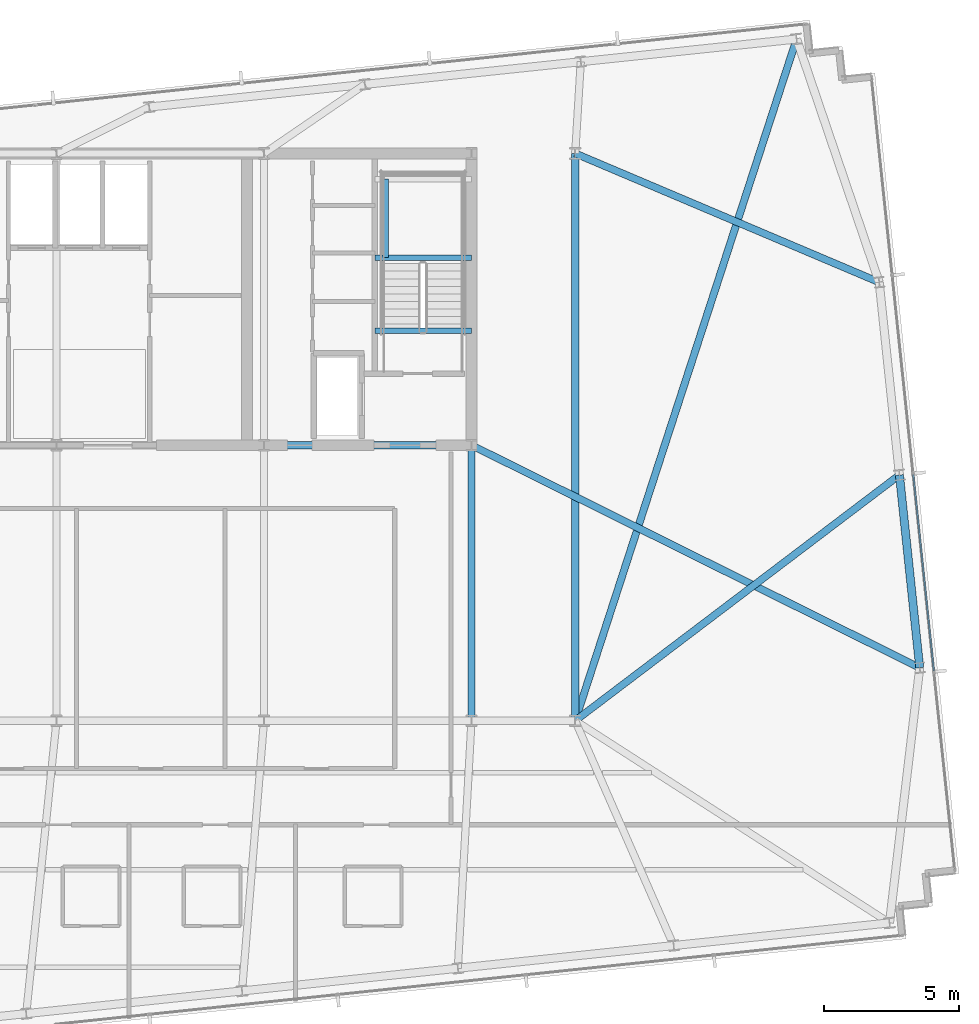
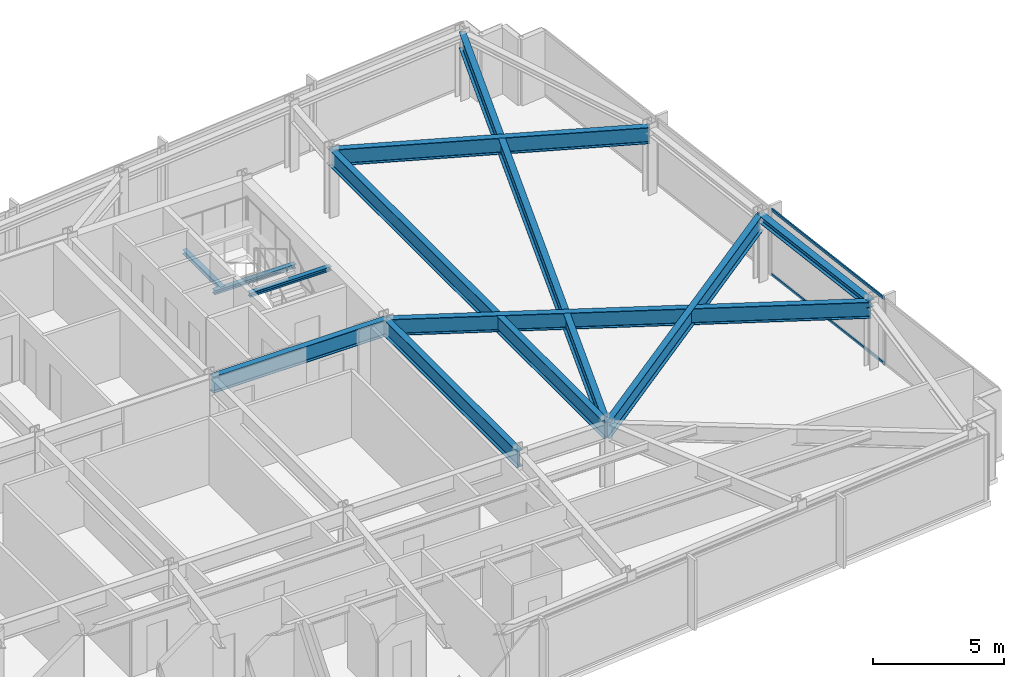
# One storey, part 18 of 33: 11 beams, 2 members, 1 element without a shape of its own.
"""IFC4 building model written with IfcOpenShell, lengths in metres."""

import ifcopenshell
import ifcopenshell.guid

model = None  # the IFC model being written
_history = None  # IfcOwnerHistory: only IFC2X3 demands one
_inside = {}  # id of a spatial element -> (the spatial element, [elements in it])
_under = {}  # id of a project, library or spatial element -> (it, [spatial elements below it])
_declared = {}  # id of a project -> (the project, [libraries it declares])
_typed = {}  # id of a type object -> (the type object, [elements of that type])
_made_of = {}  # id of a material, layer set ... -> (it, [elements and type objects made of it])


def new_model(schema):
    """Start an empty IFC model of exactly this schema.

    Asked for "IFC4X3", IfcOpenShell would pick the latest addendum, in which some entities
    have other attributes; the version numbers below select the first issue.
    IFC2X3 requires an IfcOwnerHistory on every rooted entity: one is made here for all.
    """
    global model, _history
    if schema == "IFC4X3":
        model = ifcopenshell.file(schema_version=(4, 3, 0, 0))
    else:
        model = ifcopenshell.file(schema=schema)
    _inside.clear()
    _under.clear()
    _declared.clear()
    _typed.clear()
    _made_of.clear()
    _history = None
    if model.schema == "IFC2X3":
        org = make("IfcOrganization", Name="unknown")
        user = make(
            "IfcPersonAndOrganization",
            ThePerson=make("IfcPerson", FamilyName="unknown"),
            TheOrganization=org,
        )
        app = make(
            "IfcApplication",
            ApplicationDeveloper=org,
            Version="unknown",
            ApplicationFullName="unknown",
            ApplicationIdentifier="unknown",
        )
        _history = make(
            "IfcOwnerHistory",
            OwningUser=user,
            OwningApplication=app,
            ChangeAction="ADDED",
            CreationDate=0,
        )
    return model


def make(cls, **values):
    """One entity of the class cls with the attributes given. An attribute that is None is left unset."""
    return model.create_entity(
        cls, **{name: value for name, value in values.items() if value is not None}
    )


def rooted(cls, **values):
    """An entity with a GlobalId (a new one), such as an element, a storey or a relation."""
    return make(cls, GlobalId=ifcopenshell.guid.new(), OwnerHistory=_history, **values)


def si_unit(unit_type, name, prefix=None):
    """IfcSIUnit, for example si_unit("LENGTHUNIT", "METRE", prefix="MILLI")."""
    return make("IfcSIUnit", UnitType=unit_type, Prefix=prefix, Name=name)


def assignment(units):
    """IfcUnitAssignment: the units of a project."""
    return None if units is None else make("IfcUnitAssignment", Units=units)


def point(xyz):
    """IfcCartesianPoint."""
    return None if xyz is None else make("IfcCartesianPoint", Coordinates=xyz)


def direction(xyz):
    """IfcDirection."""
    return None if xyz is None else make("IfcDirection", DirectionRatios=xyz)


def frame(location, z_axis=None, x_axis=None):
    """IfcAxis2Placement3D, a coordinate frame: its origin and axes. An axis left out is left unset."""
    return make(
        "IfcAxis2Placement3D",
        Location=point(location),
        Axis=direction(z_axis),
        RefDirection=direction(x_axis),
    )


def frame_2d(location, x_axis=None):
    """IfcAxis2Placement2D, a coordinate frame in the plane: its origin and x axis."""
    return make(
        "IfcAxis2Placement2D", Location=point(location), RefDirection=direction(x_axis)
    )


def origin():
    """The frame at (0, 0, 0) with its axes left unset."""
    return frame((0.0, 0.0, 0.0))


def origin_2d():
    """The frame at (0, 0) in the plane with its x axis left unset."""
    return frame_2d((0.0, 0.0))


def place(relative_to, where):
    """IfcLocalPlacement: puts the frame where relative to a parent placement (None: the world)."""
    return make(
        "IfcLocalPlacement", PlacementRelTo=relative_to, RelativePlacement=where
    )


def context(
    kind, dimensions, precision=None, world=None, true_north=None, identifier=None
):
    """IfcGeometricRepresentationContext, for example the 3D "Model" context."""
    return make(
        "IfcGeometricRepresentationContext",
        ContextIdentifier=identifier,
        ContextType=kind,
        CoordinateSpaceDimension=dimensions,
        Precision=precision,
        WorldCoordinateSystem=world,
        TrueNorth=true_north,
    )


def subcontext(parent, identifier, kind, view, scale=None):
    """IfcGeometricRepresentationSubContext, for example "Body" below "Model"."""
    return make(
        "IfcGeometricRepresentationSubContext",
        ContextIdentifier=identifier,
        ContextType=kind,
        ParentContext=parent,
        TargetScale=scale,
        TargetView=view,
    )


def project(units=None, contexts=None):
    """IfcProject with its units and contexts."""
    return rooted(
        "IfcProject",
        Name="project",
        RepresentationContexts=contexts,
        UnitsInContext=assignment(units),
    )


def spatial(cls, under=None, at=None, **own):
    """A site, building, storey or space (cls), placed at a placement, below another one or the project."""
    s = rooted(cls, ObjectPlacement=at, **own)
    if under is not None:
        _under.setdefault(under.id(), (under, []))[1].append(s)
    return s


def profile(cls, at=None, kind="AREA", **sizes):
    """A parametric profile (cls). Its sizes go by their IFC names, for example OverallWidth=200.0."""
    return make(cls, ProfileType=kind, Position=at, **sizes)


def hollow_rectangle(**sizes):
    """IfcRectangleHollowProfileDef."""
    return profile("IfcRectangleHollowProfileDef", **sizes)


def i_section(**sizes):
    """IfcIShapeProfileDef."""
    return profile("IfcIShapeProfileDef", **sizes)


def extrude(swept, where, along, depth):
    """IfcExtrudedAreaSolid: the profile swept, set in the frame where, extruded along a direction by depth."""
    return make(
        "IfcExtrudedAreaSolid",
        SweptArea=swept,
        Position=where,
        ExtrudedDirection=direction(along),
        Depth=depth,
    )


def shape(context_of_items, identifier, shape_type, items):
    """IfcShapeRepresentation: the items that make up one representation, for example the "Body"."""
    return make(
        "IfcShapeRepresentation",
        ContextOfItems=context_of_items,
        RepresentationIdentifier=identifier,
        RepresentationType=shape_type,
        Items=items,
    )


def material(Name=None, Category=None):
    """IfcMaterial."""
    return make("IfcMaterial", Name=Name, Category=Category)


def material_profile(
    of_material, cross_section, Name=None, Category=None, Priority=None
):
    """IfcMaterialProfile: a cross section and its material."""
    return make(
        "IfcMaterialProfile",
        Name=Name,
        Material=of_material,
        Profile=cross_section,
        Priority=Priority,
        Category=Category,
    )


def profile_set(profiles, Name=None, composite=None):
    """IfcMaterialProfileSet."""
    return make(
        "IfcMaterialProfileSet",
        Name=Name,
        MaterialProfiles=profiles,
        CompositeProfile=composite,
    )


def made_of(thing, what):
    """Note that an element or type object is made of a material, layer set ...; save() writes the relation."""
    if what is not None:
        _made_of.setdefault(what.id(), (what, []))[1].append(thing)
    return thing


def type_object(cls, material=None, **own):
    """A type object (cls), such as IfcWallType, which elements share."""
    return made_of(rooted(cls, **own), material)


def element(
    cls,
    number,
    at=None,
    inside=None,
    cuts=None,
    type_object=None,
    material=None,
    context=None,
    identifier="Body",
    shape_type=None,
    held_by="IfcProductDefinitionShape",
    body=None,
    shapes=None,
    **own,
):
    """One element of the class cls, such as IfcWall. Its Tag is "e" and its number.

    at: its placement. inside: the storey or other place that contains it. cuts: it is an
    opening in that element (IfcRelVoidsElement). A single representation is given by context,
    identifier, shape_type and body (its items); several are given by shapes. held_by: the class
    of the entity that holds the representations. save() writes the other relations.
    """
    e = rooted(cls, Tag="e%d" % number, ObjectPlacement=at, **own)
    if body is not None:
        shapes = [shape(context, identifier, shape_type, body)]
    if shapes is not None:
        e.Representation = make(held_by, Representations=shapes)
    if inside is not None:
        _inside.setdefault(inside.id(), (inside, []))[1].append(e)
    if cuts is not None:
        rooted(
            "IfcRelVoidsElement", RelatingBuildingElement=cuts, RelatedOpeningElement=e
        )
    if type_object is not None:
        _typed.setdefault(type_object.id(), (type_object, []))[1].append(e)
    return made_of(e, material)


def aggregate(whole, parts):
    """IfcRelAggregates: a whole, such as a stair, and the parts it consists of."""
    return rooted("IfcRelAggregates", RelatingObject=whole, RelatedObjects=parts)


def save(model, path):
    """Write the relations noted so far, then the file.

    IfcRelAggregates (storeys below a building ...), IfcRelContainedInSpatialStructure (elements
    in a storey), IfcRelDefinesByType, IfcRelAssociatesMaterial and IfcRelDeclares: one each for
    every whole, place, type object, material and project.
    """
    for whole, parts in _under.values():
        aggregate(whole, parts)
    for where, things in _inside.values():
        rooted(
            "IfcRelContainedInSpatialStructure",
            RelatedElements=things,
            RelatingStructure=where,
        )
    for kind, things in _typed.values():
        rooted("IfcRelDefinesByType", RelatedObjects=things, RelatingType=kind)
    for what, things in _made_of.values():
        rooted("IfcRelAssociatesMaterial", RelatedObjects=things, RelatingMaterial=what)
    for by, libraries in _declared.values():
        rooted("IfcRelDeclares", RelatingContext=by, RelatedDefinitions=libraries)
    model.write(path)


model = new_model("IFC4")

# Units and contexts
model_context = context("Model", 3, precision=1e-05, world=origin(), true_north=direction((0.0, 1.0)))
body_context = subcontext(model_context, "Body", "Model", "MODEL_VIEW")
ifc_project = project(units=[si_unit("LENGTHUNIT", "METRE"), si_unit("AREAUNIT", "SQUARE_METRE"), si_unit("VOLUMEUNIT", "CUBIC_METRE"), si_unit("PLANEANGLEUNIT", "RADIAN"), si_unit("MASSUNIT", "GRAM", prefix="KILO")], contexts=[model_context])

# Site, building, storey
site_placement = place(None, origin())
site = spatial("IfcSite", under=ifc_project, at=site_placement, CompositionType="ELEMENT")
building_placement = place(site_placement, origin())
building = spatial("IfcBuilding", under=site, at=building_placement, Name="Yelkora Congress Tower", CompositionType="ELEMENT")
storey_placement = place(building_placement, frame((0.0, 0.0, 227.60009765625)))
storey = spatial("IfcBuildingStorey", under=building, at=storey_placement, Name="L63", CompositionType="ELEMENT", Elevation=227.60009765625)

# Beams
ifc_material_1 = material(Name="Steel S355J2", Category="steel")
ifc_material_profile_1 = material_profile(ifc_material_1, i_section(OverallWidth=0.26708984375, OverallDepth=0.761962890625, WebThickness=0.014404296875, FlangeThickness=0.021484375, FilletRadius=0.01708984375, at=origin_2d()), Name="IPE 750x173")
ifc_profile_set_1 = profile_set([ifc_material_profile_1], Name="Steel S355J2")
beam_type_1 = type_object("IfcBeamType", Name="BM-GIRD-IPE750", PredefinedType="BEAM", material=ifc_profile_set_1)
beam_1_placement = place(storey_placement, frame((46.080078125, 35.39990234375, 2.698974609375), z_axis=(1.0, 0.0, 0.0), x_axis=(0.0, 1.0, 0.0)))
element("IfcBeam", 1, at=beam_1_placement, inside=storey, type_object=beam_type_1, Name="L63 Core South Girder 4", PredefinedType="BEAM", context=body_context, shape_type="SweptSolid", body=[
    extrude(i_section(OverallWidth=0.26708984375, OverallDepth=0.761962890625, WebThickness=0.014404296875, FlangeThickness=0.021484375, FilletRadius=0.01708984375, at=origin_2d()), origin(), (0.0, 0.0, 1.0), 7.679931640625),
])
beam_2_placement = place(storey_placement, frame((53.760009765625, 25.199951171875, 2.698974609375), z_axis=(0.0, 1.0, 0.0), x_axis=(-1.0, 0.0, 0.0)))
element("IfcBeam", 2, at=beam_2_placement, inside=storey, type_object=beam_type_1, Name="L63 Core Tie Girder MC-D5", PredefinedType="BEAM", context=body_context, shape_type="SweptSolid", body=[
    extrude(i_section(OverallWidth=0.26708984375, OverallDepth=0.761962890625, WebThickness=0.014404296875, FlangeThickness=0.021484375, FilletRadius=0.01708984375, at=origin_2d()), origin(), (0.0, 0.0, 1.0), 10.199951171875),
])
beam_3_placement = place(storey_placement, frame((57.60009765625, 25.199951171875, 2.698974609375), z_axis=(0.0, 1.0, 0.0), x_axis=(-1.0, 0.0, 0.0)))
element("IfcBeam", 3, at=beam_3_placement, inside=storey, type_object=beam_type_1, Name="L63 Neck Flank Girder MC-F2", PredefinedType="BEAM", context=body_context, shape_type="SweptSolid", body=[
    extrude(i_section(OverallWidth=0.26708984375, OverallDepth=0.761962890625, WebThickness=0.014404296875, FlangeThickness=0.021484375, FilletRadius=0.01708984375, at=origin_2d()), origin(), (0.0, 0.0, 1.0), 21.0),
])
beam_4_placement = place(storey_placement, frame((65.7958984375, 50.4365234375, 2.698974609375), z_axis=(-0.308878638672, -0.951101459663, 0.0), x_axis=(0.951101459663, -0.308878638672, 0.0)))
element("IfcBeam", 4, at=beam_4_placement, inside=storey, type_object=beam_type_1, Name="L63 Primary Frame Girder N07", PredefinedType="BEAM", context=body_context, shape_type="SweptSolid", body=[
    extrude(i_section(OverallWidth=0.26708984375, OverallDepth=0.761962890625, WebThickness=0.014404296875, FlangeThickness=0.021484375, FilletRadius=0.01708984375, at=origin_2d()), origin(), (0.0, 0.0, 1.0), 26.533935546875),
])
beam_5_placement = place(storey_placement, frame((70.35400390625, 27.160400390625, 2.698974609375), z_axis=(-0.895665070913, 0.444729221826, 0.0), x_axis=(-0.444729221826, -0.895665070913, 0.0)))
element("IfcBeam", 5, at=beam_5_placement, inside=storey, type_object=beam_type_1, Name="L63 Primary Frame Girder E01", PredefinedType="BEAM", context=body_context, shape_type="SweptSolid", body=[
    extrude(i_section(OverallWidth=0.26708984375, OverallDepth=0.761962890625, WebThickness=0.014404296875, FlangeThickness=0.021484375, FilletRadius=0.01708984375, at=origin_2d()), origin(), (0.0, 0.0, 1.0), 18.527099609375),
])
beam_6_placement = place(storey_placement, frame((69.60400390625, 34.296142578125, 2.698974609375), z_axis=(-0.797017901034, -0.603955681678, 0.0), x_axis=(0.603955681678, -0.797017901034, 0.0)))
element("IfcBeam", 6, at=beam_6_placement, inside=storey, type_object=beam_type_1, Name="L63 Primary Frame Girder E02", PredefinedType="BEAM", context=body_context, shape_type="SweptSolid", body=[
    extrude(i_section(OverallWidth=0.26708984375, OverallDepth=0.761962890625, WebThickness=0.014404296875, FlangeThickness=0.021484375, FilletRadius=0.01708984375, at=origin_2d()), origin(), (0.0, 0.0, 1.0), 15.06103515625),
])
beam_7_placement = place(storey_placement, frame((68.85400390625, 41.431884765625, 2.698974609375), z_axis=(-0.920767530621, 0.390111720606, 0.0), x_axis=(-0.390111720606, -0.920767530621, 0.0)))
element("IfcBeam", 7, at=beam_7_placement, inside=storey, type_object=beam_type_1, Name="L63 Primary Frame Girder E03", PredefinedType="BEAM", context=body_context, shape_type="SweptSolid", body=[
    extrude(i_section(OverallWidth=0.26708984375, OverallDepth=0.761962890625, WebThickness=0.014404296875, FlangeThickness=0.021484375, FilletRadius=0.01708984375, at=origin_2d()), origin(), (0.0, 0.0, 1.0), 12.222412109375),
])
ifc_material_profile_2 = material_profile(ifc_material_1, i_section(OverallWidth=0.199951171875, OverallDepth=0.18994140625, WebThickness=0.006591796875, FlangeThickness=0.010009765625, FilletRadius=0.01806640625, at=origin_2d()), Name="HEA 200")
ifc_profile_set_2 = profile_set([ifc_material_profile_2], Name="Steel S355J2")
beam_type_2 = type_object("IfcBeamType", Name="BM-LAND-HEA200", PredefinedType="BEAM", material=ifc_profile_set_2)
beam_8_placement = place(storey_placement, frame((50.179931640625, 42.340087890625, 1.33447265625), z_axis=(1.0, 0.0, 0.0), x_axis=(0.0, 1.0, 0.0)))
element("IfcBeam", 8, at=beam_8_placement, inside=storey, type_object=beam_type_2, Name="ST-02 L63 Landing Header Beam 1S", PredefinedType="BEAM", context=body_context, shape_type="SweptSolid", body=[
    extrude(i_section(OverallWidth=0.199951171875, OverallDepth=0.18994140625, WebThickness=0.006591796875, FlangeThickness=0.010009765625, FilletRadius=0.01806640625, at=origin_2d()), origin(), (0.0, 0.0, 1.0), 3.580078125),
])
beam_9_placement = place(storey_placement, frame((50.580078125, 42.340087890625, 1.33447265625), z_axis=(0.0, 1.0, 0.0), x_axis=(-1.0, 0.0, 0.0)))
element("IfcBeam", 9, at=beam_9_placement, inside=storey, type_object=beam_type_2, Name="ST-02 L63 Landing Trimmer Beam 1M", PredefinedType="BEAM", context=body_context, shape_type="SweptSolid", body=[
    extrude(i_section(OverallWidth=0.199951171875, OverallDepth=0.18994140625, WebThickness=0.006591796875, FlangeThickness=0.010009765625, FilletRadius=0.01806640625, at=origin_2d()), origin(), (0.0, 0.0, 1.0), 2.909912109375),
])
beam_10_placement = place(storey_placement, frame((50.179931640625, 39.639892578125, 2.853759765625), z_axis=(1.0, 0.0, 0.0), x_axis=(0.0, 1.0, 0.0)))
element("IfcBeam", 10, at=beam_10_placement, inside=storey, type_object=beam_type_2, Name="ST-02 L63 Floor Arrival Stringer Header Beam", PredefinedType="BEAM", context=body_context, shape_type="SweptSolid", body=[
    extrude(i_section(OverallWidth=0.199951171875, OverallDepth=0.18994140625, WebThickness=0.006591796875, FlangeThickness=0.010009765625, FilletRadius=0.01806640625, at=origin_2d()), origin(), (0.0, 0.0, 1.0), 3.580078125),
])
ifc_material_profile_3 = material_profile(ifc_material_1, i_section(OverallWidth=0.300048828125, OverallDepth=0.340087890625, WebThickness=0.011962890625, FlangeThickness=0.021484375, FilletRadius=0.027099609375, at=origin_2d()), Name="HEB 340")
ifc_profile_set_3 = profile_set([ifc_material_profile_3], Name="Steel S355J2")
beam_type_3 = type_object("IfcBeamType", Name="BM-SPAN-HEB340", PredefinedType="SPANDREL", material=ifc_profile_set_3)
beam_11_placement = place(storey_placement, frame((70.35400390625, 27.160400390625, 2.909912109375), z_axis=(-0.104528914631, 0.994521847928, 0.0), x_axis=(-0.994521847928, -0.104528914631, 0.0)))
element("IfcBeam", 11, at=beam_11_placement, inside=storey, type_object=beam_type_3, Name="L63 Perimeter Beam 10", PredefinedType="SPANDREL", context=body_context, shape_type="SweptSolid", body=[
    extrude(i_section(OverallWidth=0.300048828125, OverallDepth=0.340087890625, WebThickness=0.011962890625, FlangeThickness=0.021484375, FilletRadius=0.027099609375, at=origin_2d()), origin(), (0.0, 0.0, 1.0), 7.175048828125),
])

# Curtain wall, members
ifc_material_2 = material(Name="Anodised aluminium and insulated glass", Category="aluminium")
curtain_wall_type = type_object("IfcCurtainWallType", Name="CW-SYS-B4", PredefinedType="NOTDEFINED", material=ifc_material_2)
curtain_wall_placement = place(storey_placement, origin())
curtain_wall = element("IfcCurtainWall", 12, at=curtain_wall_placement, inside=storey, type_object=curtain_wall_type, Name="L63 Unitised Curtain Wall 15", PredefinedType="NOTDEFINED")
ifc_material_3 = material(Name="Anodised aluminium 6063-T6", Category="aluminium")
ifc_material_profile_4 = material_profile(ifc_material_3, hollow_rectangle(XDim=0.06005859375, YDim=0.1298828125, WallThickness=0.00390625, at=origin_2d()), Name="ALU 60x130x4")
ifc_profile_set_4 = profile_set([ifc_material_profile_4], Name="Anodised aluminium 6063-T6")
member_type = type_object("IfcMemberType", Name="MEM-TR-B4", PredefinedType="USERDEFINED", material=ifc_profile_set_4)
member_1_placement = place(storey_placement, frame((70.114501953125, 34.317138671875, 0.02978515625), z_axis=(0.104531896307, -0.994521534535, 0.0), x_axis=(0.994521534535, 0.104531896307, 0.0)))
member_1 = element("IfcMember", 13, at=member_1_placement, type_object=member_type, Name="CW-B4 transom 3.1", ObjectType="TRANSOM", PredefinedType="USERDEFINED", context=body_context, shape_type="SweptSolid", body=[
    extrude(hollow_rectangle(XDim=0.06005859375, YDim=0.1298828125, WallThickness=0.00390625, at=origin_2d()), origin(), (0.0, 0.0, 1.0), 7.31494140625),
])
member_2_placement = place(storey_placement, frame((70.114501953125, 34.317138671875, 3.0498046875), z_axis=(0.104531896307, -0.994521534535, 0.0), x_axis=(0.994521534535, 0.104531896307, 0.0)))
member_2 = element("IfcMember", 14, at=member_2_placement, type_object=member_type, Name="CW-B4 transom 3.2", ObjectType="TRANSOM", PredefinedType="USERDEFINED", context=body_context, shape_type="SweptSolid", body=[
    extrude(hollow_rectangle(XDim=0.06005859375, YDim=0.1298828125, WallThickness=0.00390625, at=origin_2d()), origin(), (0.0, 0.0, 1.0), 7.31494140625),
])
aggregate(curtain_wall, [member_1, member_2])

save(model, "model.ifc")
